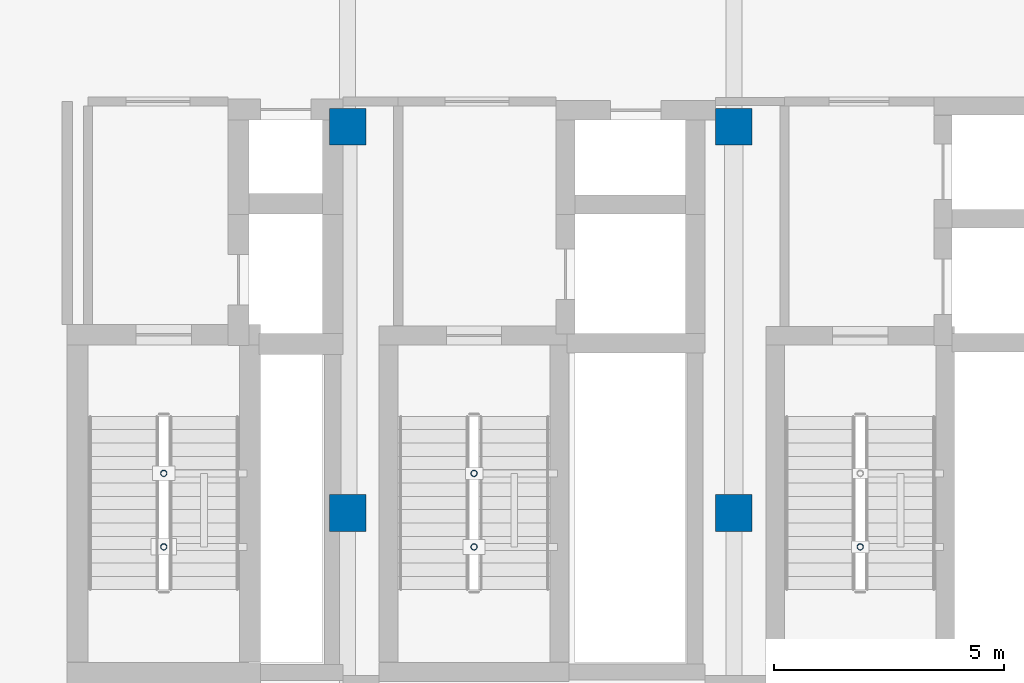
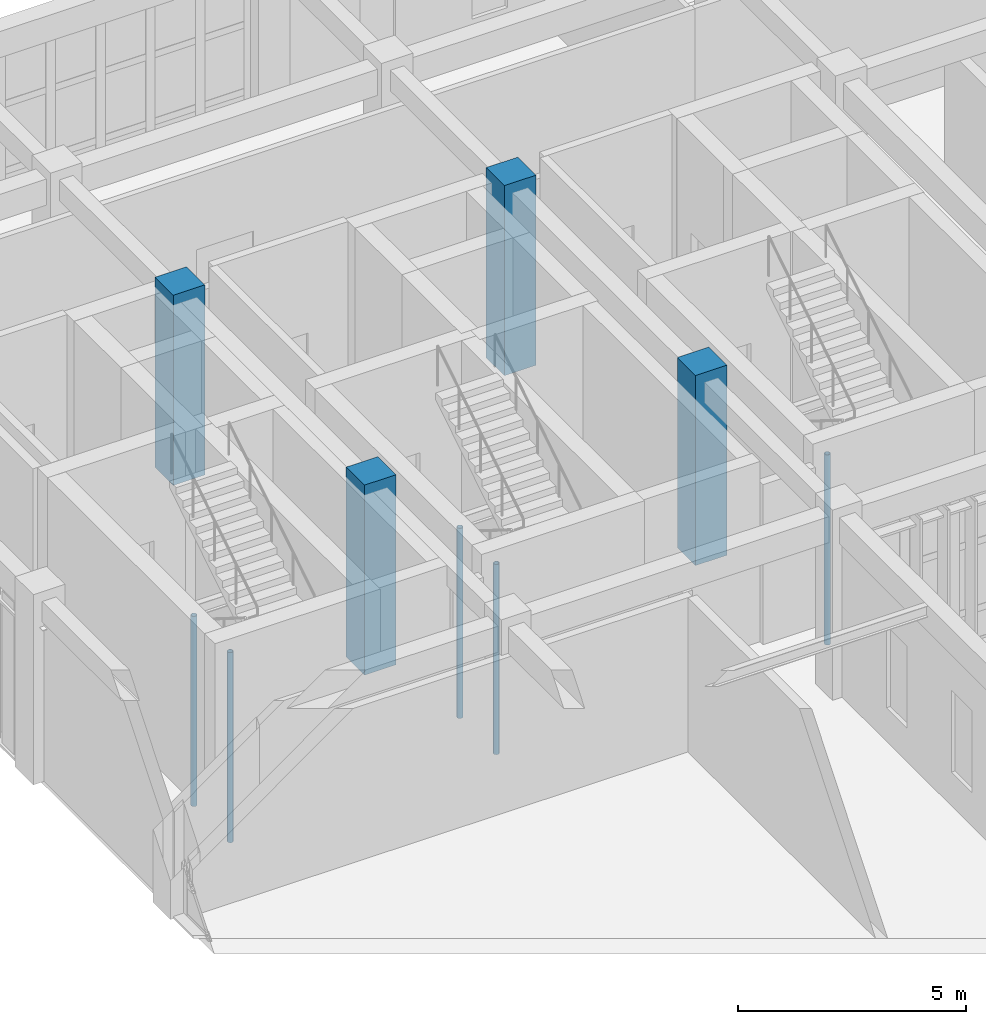
# One storey, part 9 of 77: 9 columns.
"""IFC4 building model written with IfcOpenShell, lengths in metres."""

from ifc_helpers import new_model, si_unit, direction, frame, origin, origin_2d, place, context, subcontext, project, spatial, rectangle, hollow_circle, extrude, material, material_profile, profile_set, type_object, element, save


model = new_model("IFC4")

# Units and contexts
model_context = context("Model", 3, precision=1e-05, world=origin(), true_north=direction((0.0, 1.0)))
body_context = subcontext(model_context, "Body", "Model", "MODEL_VIEW")
ifc_project = project(units=[si_unit("LENGTHUNIT", "METRE"), si_unit("AREAUNIT", "SQUARE_METRE"), si_unit("VOLUMEUNIT", "CUBIC_METRE"), si_unit("PLANEANGLEUNIT", "RADIAN"), si_unit("MASSUNIT", "GRAM", prefix="KILO")], contexts=[model_context])

# Site, building, storey
site_placement = place(None, origin())
site = spatial("IfcSite", under=ifc_project, at=site_placement, CompositionType="ELEMENT")
building_placement = place(site_placement, origin())
building = spatial("IfcBuilding", under=site, at=building_placement, Name="Krzemoval Escarpment Law Courts", CompositionType="ELEMENT")
storey_placement = place(building_placement, frame((0.0, 0.0, 15.300048828125)))
storey = spatial("IfcBuildingStorey", under=building, at=storey_placement, Name="L03", CompositionType="ELEMENT", Elevation=15.300048828125)

# Columns
ifc_material_1 = material(Name="Concrete C40/50", Category="concrete")
ifc_material_profile_1 = material_profile(ifc_material_1, rectangle(XDim=0.800048828125, YDim=0.800048828125, at=origin_2d()), Name="RC 800x800")
ifc_profile_set_1 = profile_set([ifc_material_profile_1], Name="Concrete C40/50")
column_type_1 = type_object("IfcColumnType", Name="COL-RC-800", PredefinedType="COLUMN", material=ifc_profile_set_1)
for number, where, z_axis, x_axis, name in (
    (1, (134.39990234375, 99.60009765625, 0.0), (0.0, 0.0, 1.0), (1.0, 0.0, 0.0), "Column FC-L03-1125"),
    (2, (134.39990234375, 108.0, 0.0), (0.0, 0.0, 1.0), (1.0, 0.0, 0.0), "Column FC-L03-1126"),
    (3, (142.800048828125, 99.60009765625, 0.0), (0.0, 0.0, 1.0), (1.0, 0.0, 0.0), "Column FC-L03-1138"),
    (4, (142.800048828125, 108.0, 0.0), (0.0, 0.0, 1.0), (1.0, 0.0, 0.0), "Column FC-L03-1139"),
):
    element("IfcColumn", number, at=place(storey_placement, frame(where, z_axis=z_axis, x_axis=x_axis)), inside=storey, type_object=column_type_1, Name=name, PredefinedType="COLUMN", context=body_context, shape_type="SweptSolid", body=[
        extrude(rectangle(XDim=0.800048828125, YDim=0.800048828125, at=origin_2d()), origin(), (0.0, 0.0, 1.0), 5.099853515625),
    ])
ifc_material_2 = material(Name="Steel S355", Category="steel")
ifc_material_profile_2 = material_profile(ifc_material_2, hollow_circle(Radius=0.06982421875, WallThickness=0.008056640625, at=origin_2d()), Name="CHS 139.7x8")
ifc_profile_set_2 = profile_set([ifc_material_profile_2], Name="Steel S355")
column_type_2 = type_object("IfcColumnType", Name="COL-S355-CHS140", PredefinedType="COLUMN", material=ifc_profile_set_2)
for number, where, z_axis, x_axis, name in (
    (5, (130.39990234375, 98.860107421875, -2.97998046875), (0.0, 0.0, 1.0), (1.0, 0.0, 0.0), "Stair Well Post SCP-C1-L03-1"),
    (6, (130.39990234375, 100.4599609375, -2.97998046875), (0.0, 0.0, 1.0), (1.0, 0.0, 0.0), "Stair Well Post SCP-C1-L03-2"),
    (7, (137.14990234375, 98.860107421875, -2.97998046875), (0.0, 0.0, 1.0), (1.0, 0.0, 0.0), "Stair Well Post SCP-C2-L03-1"),
    (8, (137.14990234375, 100.4599609375, -2.97998046875), (0.0, 0.0, 1.0), (1.0, 0.0, 0.0), "Stair Well Post SCP-C2-L03-2"),
    (9, (145.550048828125, 98.860107421875, -2.97998046875), (0.0, 0.0, 1.0), (1.0, 0.0, 0.0), "Stair Well Post SCP-C3-L03-1"),
):
    element("IfcColumn", number, at=place(storey_placement, frame(where, z_axis=z_axis, x_axis=x_axis)), inside=storey, type_object=column_type_2, Name=name, PredefinedType="COLUMN", context=body_context, shape_type="SweptSolid", body=[
        extrude(hollow_circle(Radius=0.06982421875, WallThickness=0.008056640625, at=origin_2d()), origin(), (0.0, 0.0, 1.0), 5.099853515625),
    ])

save(model, "model.ifc")
